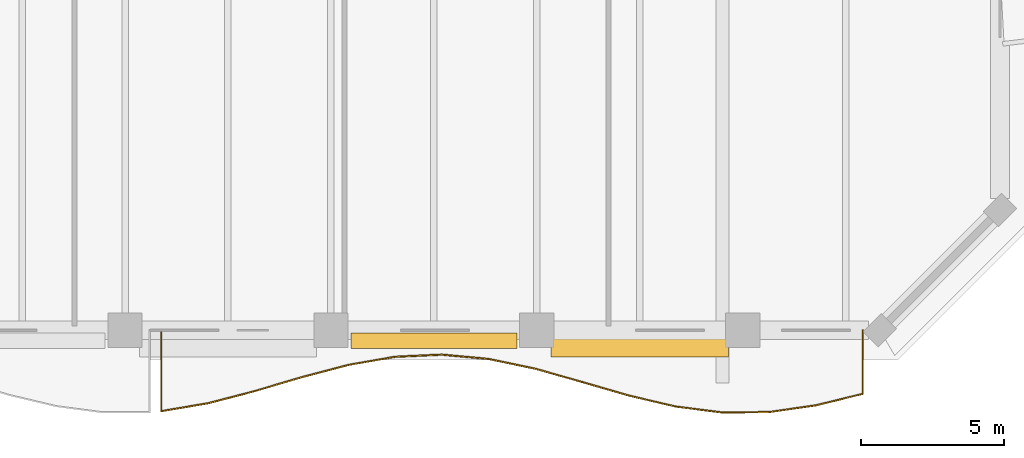
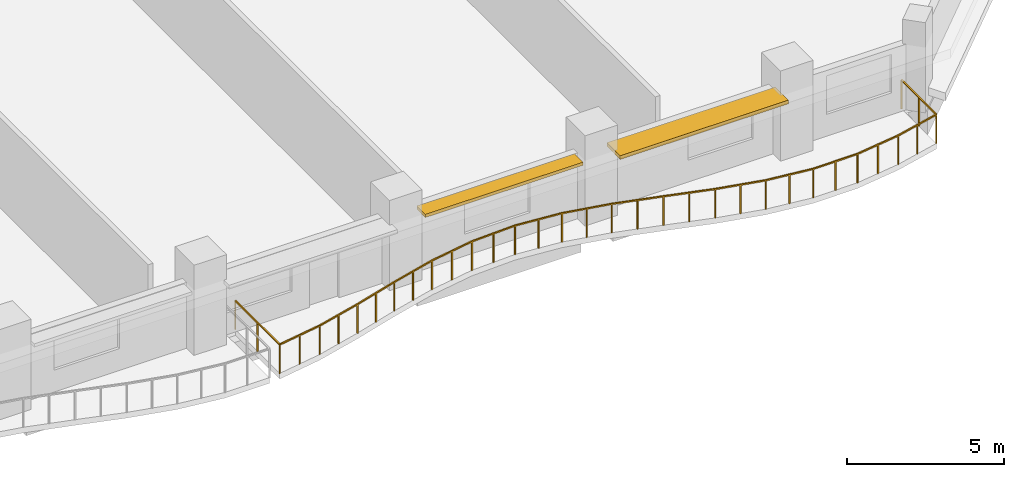
# One storey, part 13 of 14: 2 shading devices, 1 railing.
"""IFC4 building model written with IfcOpenShell, lengths in metres."""

from ifc_helpers import new_model, si_unit, direction, frame, origin, origin_2d, place, context, subcontext, project, spatial, rectangle, extrude, material, layer, layer_set, type_object, element, save


model = new_model("IFC4")

# Units and contexts
model_context = context("Model", 3, precision=1e-05, world=origin(), true_north=direction((0.0, 1.0)))
body_context = subcontext(model_context, "Body", "Model", "MODEL_VIEW")
ifc_project = project(units=[si_unit("LENGTHUNIT", "METRE"), si_unit("AREAUNIT", "SQUARE_METRE"), si_unit("VOLUMEUNIT", "CUBIC_METRE"), si_unit("PLANEANGLEUNIT", "RADIAN"), si_unit("MASSUNIT", "GRAM", prefix="KILO")], contexts=[model_context])

# Site, building, storey
site_placement = place(None, origin())
site = spatial("IfcSite", under=ifc_project, at=site_placement, CompositionType="ELEMENT")
building_placement = place(site_placement, origin())
building = spatial("IfcBuilding", under=site, at=building_placement, Name="Kaelvorn Grand Hotel", CompositionType="ELEMENT")
storey_placement = place(building_placement, frame((0.0, 0.0, 93.050048828125)))
storey = spatial("IfcBuildingStorey", under=building, at=storey_placement, Name="L21", CompositionType="ELEMENT", Elevation=93.050048828125)

# Railing
ifc_material_1 = material(Name="Stainless Steel", Category="steel")
railing_type = type_object("IfcRailingType", Name="RL-BALC-1150", PredefinedType="BALUSTRADE", material=ifc_material_1)
railing_placement = place(storey_placement, frame((54.666748046875, 0.0, 0.0)))
element("IfcRailing", 1, at=railing_placement, inside=storey, type_object=railing_type, Name="L21 Scalloped Wave Balcony Balustrade GR1-3", PredefinedType="BALUSTRADE", context=body_context, shape_type="SweptSolid", body=[
    extrude(rectangle(XDim=0.048095703125, YDim=0.048095703125, at=origin_2d()), frame((0.0, 0.0, 1.1259765625), z_axis=(0.0, -1.0, 0.0), x_axis=(1.0, 0.0, 0.0)), (0.0, 0.0, 1.0), 2.831298828125),
    extrude(rectangle(XDim=0.048095703125, YDim=0.048095703125, at=origin_2d()), frame((0.0, -2.831298828125, 1.1259765625), z_axis=(0.986118033534, 0.166045848907, 0.0), x_axis=(-0.166045848907, 0.986118033534, 0.0)), (0.0, 0.0, 1.0), 1.658447265625),
    extrude(rectangle(XDim=0.048095703125, YDim=0.048095703125, at=origin_2d()), frame((1.635498046875, -2.555908203125, 1.1259765625), z_axis=(0.96763721046, 0.252345455542, 0.0), x_axis=(-0.252345455542, 0.96763721046, 0.0)), (0.0, 0.0, 1.0), 1.690185546875),
    extrude(rectangle(XDim=0.048095703125, YDim=0.048095703125, at=origin_2d()), frame((3.27099609375, -2.12939453125, 1.1259765625), z_axis=(0.959027432838, 0.2833132243, 0.0), x_axis=(-0.2833132243, 0.959027432838, 0.0)), (0.0, 0.0, 1.0), 1.705322265625),
    extrude(rectangle(XDim=0.048095703125, YDim=0.048095703125, at=origin_2d()), frame((4.906494140625, -1.646240234375, 1.1259765625), z_axis=(0.966831098892, 0.255416573886, 0.0), x_axis=(-0.255416573886, 0.966831098892, 0.0)), (0.0, 0.0, 1.0), 1.69189453125),
    extrude(rectangle(XDim=0.048095703125, YDim=0.048095703125, at=origin_2d()), frame((6.542236328125, -1.214111328125, 1.1259765625), z_axis=(0.985113377214, 0.171905887142, 0.0), x_axis=(-0.171905887142, 0.985113377214, 0.0)), (0.0, 0.0, 1.0), 1.66015625),
    extrude(rectangle(XDim=0.048095703125, YDim=0.048095703125, at=origin_2d()), frame((8.177734375, -0.9287109375, 1.1259765625), z_axis=(0.998944729953, 0.045928493331, 0.0), x_axis=(-0.045928493331, 0.998944729953, 0.0)), (0.0, 0.0, 1.0), 1.63720703125),
    extrude(rectangle(XDim=0.048095703125, YDim=0.048095703125, at=origin_2d()), frame((9.813232421875, -0.853515625, 1.1259765625), z_axis=(0.995730813029, -0.092304647692, 0.0), x_axis=(0.092304647692, 0.995730813029, 0.0)), (0.0, 0.0, 1.0), 1.642578125),
    extrude(rectangle(XDim=0.048095703125, YDim=0.048095703125, at=origin_2d()), frame((11.44873046875, -1.005126953125, 1.1259765625), z_axis=(0.978506375694, -0.206216567534, 0.0), x_axis=(0.206216567534, 0.978506375694, 0.0)), (0.0, 0.0, 1.0), 1.671630859375),
    extrude(rectangle(XDim=0.048095703125, YDim=0.048095703125, at=origin_2d()), frame((13.08447265625, -1.349853515625, 1.1259765625), z_axis=(0.962391909426, -0.27166489039, 0.0), x_axis=(0.27166489039, 0.962391909426, 0.0)), (0.0, 0.0, 1.0), 1.699462890625),
    extrude(rectangle(XDim=0.048095703125, YDim=0.048095703125, at=origin_2d()), frame((14.719970703125, -1.8115234375, 1.1259765625), z_axis=(0.960226046789, -0.279223815367, 0.0), x_axis=(0.279223815367, 0.960226046789, 0.0)), (0.0, 0.0, 1.0), 1.703125),
    extrude(rectangle(XDim=0.048095703125, YDim=0.048095703125, at=origin_2d()), frame((16.35546875, -2.287109375, 1.1259765625), z_axis=(0.973521889871, -0.228593809937, 0.0), x_axis=(0.228593809937, 0.973521889871, 0.0)), (0.0, 0.0, 1.0), 1.679931640625),
    extrude(rectangle(XDim=0.048095703125, YDim=0.048095703125, at=origin_2d()), frame((17.990966796875, -2.671142578125, 1.1259765625), z_axis=(0.992064544216, -0.125729630996, 0.0), x_axis=(0.125729630996, 0.992064544216, 0.0)), (0.0, 0.0, 1.0), 1.648681640625),
    extrude(rectangle(XDim=0.048095703125, YDim=0.048095703125, at=origin_2d()), frame((19.62646484375, -2.87841796875, 1.1259765625), z_axis=(0.999954380489, 0.009551803038, 0.0), x_axis=(-0.009551803038, 0.999954380489, 0.0)), (0.0, 0.0, 1.0), 1.6357421875),
    extrude(rectangle(XDim=0.048095703125, YDim=0.048095703125, at=origin_2d()), frame((21.26220703125, -2.86279296875, 1.1259765625), z_axis=(0.989824996425, 0.142290113682, 0.0), x_axis=(-0.142290113682, 0.989824996425, 0.0)), (0.0, 0.0, 1.0), 1.65234375),
    extrude(rectangle(XDim=0.048095703125, YDim=0.048095703125, at=origin_2d()), frame((22.897705078125, -2.627685546875, 1.1259765625), z_axis=(0.971081610913, 0.238747785218, 0.0), x_axis=(-0.238747785218, 0.971081610913, 0.0)), (0.0, 0.0, 1.0), 1.68408203125),
    extrude(rectangle(XDim=0.048095703125, YDim=0.048095703125, at=origin_2d()), frame((24.533203125, -2.2255859375, 1.1259765625), z_axis=(0.0, 1.0, 0.0), x_axis=(-1.0, 0.0, 0.0)), (0.0, 0.0, 1.0), 2.2255859375),
    extrude(rectangle(XDim=0.0419921875, YDim=0.0419921875, at=origin_2d()), origin(), (0.0, 0.0, 1.0), 1.101806640625),
    extrude(rectangle(XDim=0.0419921875, YDim=0.0419921875, at=origin_2d()), frame((0.0, -1.41552734375, 0.0)), (0.0, 0.0, 1.0), 1.101806640625),
    extrude(rectangle(XDim=0.0419921875, YDim=0.0419921875, at=origin_2d()), frame((0.0, -2.831298828125, 0.0)), (0.0, 0.0, 1.0), 1.101806640625),
    extrude(rectangle(XDim=0.0419921875, YDim=0.0419921875, at=origin_2d()), frame((0.81787109375, -2.693603515625, 0.0)), (0.0, 0.0, 1.0), 1.101806640625),
    extrude(rectangle(XDim=0.0419921875, YDim=0.0419921875, at=origin_2d()), frame((1.635498046875, -2.555908203125, 0.0)), (0.0, 0.0, 1.0), 1.101806640625),
    extrude(rectangle(XDim=0.0419921875, YDim=0.0419921875, at=origin_2d()), frame((2.453125, -2.3427734375, 0.0)), (0.0, 0.0, 1.0), 1.101806640625),
    extrude(rectangle(XDim=0.0419921875, YDim=0.0419921875, at=origin_2d()), frame((3.27099609375, -2.12939453125, 0.0)), (0.0, 0.0, 1.0), 1.101806640625),
    extrude(rectangle(XDim=0.0419921875, YDim=0.0419921875, at=origin_2d()), frame((4.0888671875, -1.8876953125, 0.0)), (0.0, 0.0, 1.0), 1.101806640625),
    extrude(rectangle(XDim=0.0419921875, YDim=0.0419921875, at=origin_2d()), frame((4.906494140625, -1.646240234375, 0.0)), (0.0, 0.0, 1.0), 1.101806640625),
    extrude(rectangle(XDim=0.0419921875, YDim=0.0419921875, at=origin_2d()), frame((5.724365234375, -1.43017578125, 0.0)), (0.0, 0.0, 1.0), 1.101806640625),
    extrude(rectangle(XDim=0.0419921875, YDim=0.0419921875, at=origin_2d()), frame((6.542236328125, -1.214111328125, 0.0)), (0.0, 0.0, 1.0), 1.101806640625),
    extrude(rectangle(XDim=0.0419921875, YDim=0.0419921875, at=origin_2d()), frame((7.35986328125, -1.0712890625, 0.0)), (0.0, 0.0, 1.0), 1.101806640625),
    extrude(rectangle(XDim=0.0419921875, YDim=0.0419921875, at=origin_2d()), frame((8.177734375, -0.9287109375, 0.0)), (0.0, 0.0, 1.0), 1.101806640625),
    extrude(rectangle(XDim=0.0419921875, YDim=0.0419921875, at=origin_2d()), frame((8.99560546875, -0.89111328125, 0.0)), (0.0, 0.0, 1.0), 1.101806640625),
    extrude(rectangle(XDim=0.0419921875, YDim=0.0419921875, at=origin_2d()), frame((9.813232421875, -0.853515625, 0.0)), (0.0, 0.0, 1.0), 1.101806640625),
    extrude(rectangle(XDim=0.0419921875, YDim=0.0419921875, at=origin_2d()), frame((10.630859375, -0.92919921875, 0.0)), (0.0, 0.0, 1.0), 1.101806640625),
    extrude(rectangle(XDim=0.0419921875, YDim=0.0419921875, at=origin_2d()), frame((11.44873046875, -1.005126953125, 0.0)), (0.0, 0.0, 1.0), 1.101806640625),
    extrude(rectangle(XDim=0.0419921875, YDim=0.0419921875, at=origin_2d()), frame((12.2666015625, -1.177490234375, 0.0)), (0.0, 0.0, 1.0), 1.101806640625),
    extrude(rectangle(XDim=0.0419921875, YDim=0.0419921875, at=origin_2d()), frame((13.08447265625, -1.349853515625, 0.0)), (0.0, 0.0, 1.0), 1.101806640625),
    extrude(rectangle(XDim=0.0419921875, YDim=0.0419921875, at=origin_2d()), frame((13.90234375, -1.58056640625, 0.0)), (0.0, 0.0, 1.0), 1.101806640625),
    extrude(rectangle(XDim=0.0419921875, YDim=0.0419921875, at=origin_2d()), frame((14.719970703125, -1.8115234375, 0.0)), (0.0, 0.0, 1.0), 1.101806640625),
    extrude(rectangle(XDim=0.0419921875, YDim=0.0419921875, at=origin_2d()), frame((15.53759765625, -2.04931640625, 0.0)), (0.0, 0.0, 1.0), 1.101806640625),
    extrude(rectangle(XDim=0.0419921875, YDim=0.0419921875, at=origin_2d()), frame((16.35546875, -2.287109375, 0.0)), (0.0, 0.0, 1.0), 1.101806640625),
    extrude(rectangle(XDim=0.0419921875, YDim=0.0419921875, at=origin_2d()), frame((17.17333984375, -2.47900390625, 0.0)), (0.0, 0.0, 1.0), 1.101806640625),
    extrude(rectangle(XDim=0.0419921875, YDim=0.0419921875, at=origin_2d()), frame((17.990966796875, -2.671142578125, 0.0)), (0.0, 0.0, 1.0), 1.101806640625),
    extrude(rectangle(XDim=0.0419921875, YDim=0.0419921875, at=origin_2d()), frame((18.80859375, -2.77490234375, 0.0)), (0.0, 0.0, 1.0), 1.101806640625),
    extrude(rectangle(XDim=0.0419921875, YDim=0.0419921875, at=origin_2d()), frame((19.62646484375, -2.87841796875, 0.0)), (0.0, 0.0, 1.0), 1.101806640625),
    extrude(rectangle(XDim=0.0419921875, YDim=0.0419921875, at=origin_2d()), frame((20.4443359375, -2.87060546875, 0.0)), (0.0, 0.0, 1.0), 1.101806640625),
    extrude(rectangle(XDim=0.0419921875, YDim=0.0419921875, at=origin_2d()), frame((21.26220703125, -2.86279296875, 0.0)), (0.0, 0.0, 1.0), 1.101806640625),
    extrude(rectangle(XDim=0.0419921875, YDim=0.0419921875, at=origin_2d()), frame((22.080078125, -2.7451171875, 0.0)), (0.0, 0.0, 1.0), 1.101806640625),
    extrude(rectangle(XDim=0.0419921875, YDim=0.0419921875, at=origin_2d()), frame((22.897705078125, -2.627685546875, 0.0)), (0.0, 0.0, 1.0), 1.101806640625),
    extrude(rectangle(XDim=0.0419921875, YDim=0.0419921875, at=origin_2d()), frame((23.71533203125, -2.4267578125, 0.0)), (0.0, 0.0, 1.0), 1.101806640625),
    extrude(rectangle(XDim=0.0419921875, YDim=0.0419921875, at=origin_2d()), frame((24.533203125, -2.2255859375, 0.0)), (0.0, 0.0, 1.0), 1.101806640625),
    extrude(rectangle(XDim=0.0419921875, YDim=0.0419921875, at=origin_2d()), frame((24.533203125, -1.11279296875, 0.0)), (0.0, 0.0, 1.0), 1.101806640625),
    extrude(rectangle(XDim=0.0419921875, YDim=0.0419921875, at=origin_2d()), frame((24.533203125, 0.0, 0.0)), (0.0, 0.0, 1.0), 1.101806640625),
])

# Shading devices
ifc_material_2 = material(Name="Precast concrete C45/55", Category="concrete")
ifc_layer_1 = layer(ifc_material_2, 0.1201171875)
ifc_layer_set_1 = layer_set([ifc_layer_1], Name="Precast concrete C45/55")
shading_device_type_1 = type_object("IfcShadingDeviceType", Name="SHD-SUNSHADE-550", PredefinedType="USERDEFINED", material=ifc_layer_set_1)
shading_device_1_placement = place(storey_placement, frame((64.199951171875, -0.364990234375, 2.419921875), z_axis=(0.0, 0.0, 1.0), x_axis=(1.0, 0.0, 0.0)))
element("IfcShadingDevice", 2, at=shading_device_1_placement, inside=storey, type_object=shading_device_type_1, Name="L21 Horizontal Concrete Sunshade Band SS-09", ObjectType="SUNSHADE", PredefinedType="USERDEFINED", context=body_context, shape_type="SweptSolid", body=[
    extrude(rectangle(XDim=5.800048828125, YDim=0.550048828125, at=origin_2d()), origin(), (0.0, 0.0, 1.0), 0.1201171875),
])
ifc_layer_2 = layer(ifc_material_2, 0.139892578125)
ifc_layer_set_2 = layer_set([ifc_layer_2], Name="Precast concrete C45/55")
shading_device_type_2 = type_object("IfcShadingDeviceType", Name="SHD-SUNSHADE-850", PredefinedType="USERDEFINED", material=ifc_layer_set_2)
shading_device_2_placement = place(storey_placement, frame((71.39990234375, -0.514892578125, 2.41015625), z_axis=(0.0, 0.0, 1.0), x_axis=(1.0, 0.0, 0.0)))
element("IfcShadingDevice", 3, at=shading_device_2_placement, inside=storey, type_object=shading_device_type_2, Name="L21 Horizontal Concrete Sunshade Band SS-10", ObjectType="SUNSHADE", PredefinedType="USERDEFINED", context=body_context, shape_type="SweptSolid", body=[
    extrude(rectangle(XDim=6.199951171875, YDim=0.85009765625, at=origin_2d()), origin(), (0.0, 0.0, 1.0), 0.139892578125),
])

save(model, "model.ifc")
